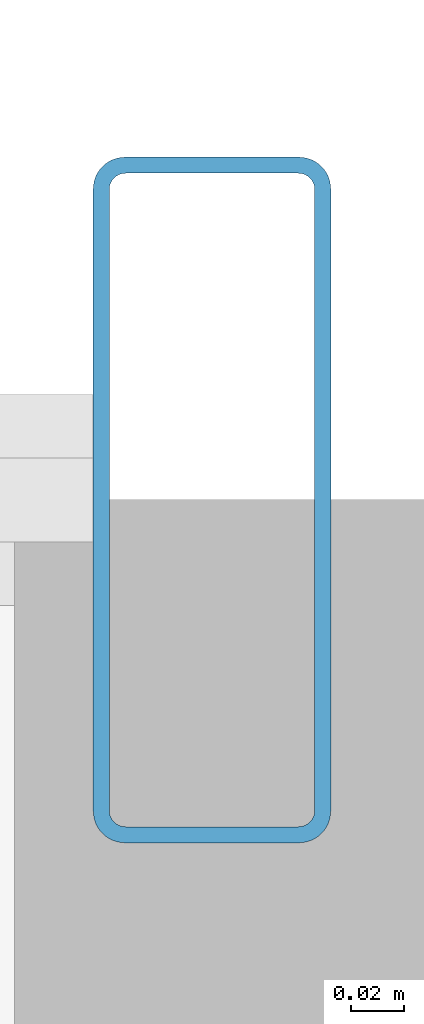
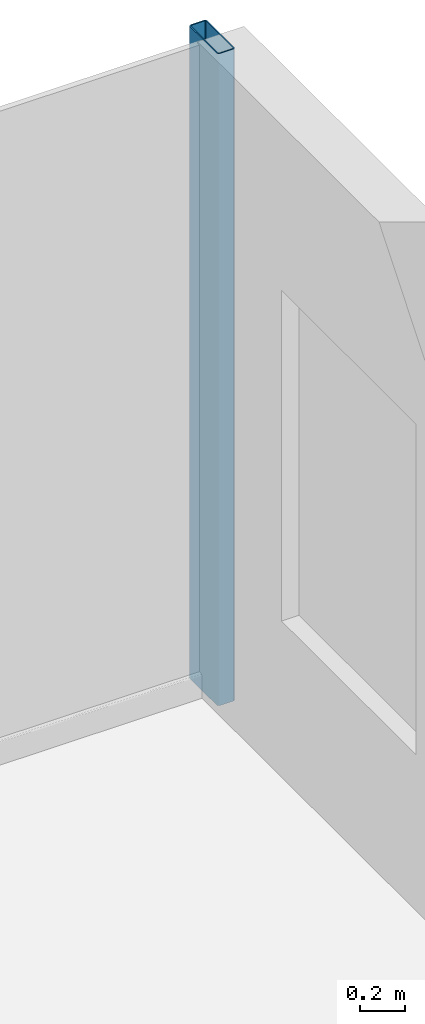
# One storey, part 14 of 26: 1 member, 1 element without a shape of its own.
"""IFC4 building model written with IfcOpenShell, lengths in metres."""

from ifc_helpers import new_model, si_unit, direction, frame, origin, origin_2d, place, context, subcontext, project, spatial, hollow_rectangle, extrude, source, transform, mapped, material, layer, layer_set, material_profile, profile_set, type_object, element, aggregate, save


model = new_model("IFC4")

# Units and contexts
model_context = context("Model", 3, precision=1e-05, world=origin(), true_north=direction((0.0, 1.0)))
body_context = subcontext(model_context, "Body", "Model", "MODEL_VIEW")
ifc_project = project(units=[si_unit("LENGTHUNIT", "METRE"), si_unit("AREAUNIT", "SQUARE_METRE"), si_unit("VOLUMEUNIT", "CUBIC_METRE"), si_unit("PLANEANGLEUNIT", "RADIAN"), si_unit("MASSUNIT", "GRAM", prefix="KILO")], contexts=[model_context])

# Site, building, storey
site_placement = place(None, origin())
site = spatial("IfcSite", under=ifc_project, at=site_placement, CompositionType="ELEMENT")
building_placement = place(site_placement, origin())
building = spatial("IfcBuilding", under=site, at=building_placement, Name="Nefas-Gora Pilgrimage Tower", CompositionType="ELEMENT")
storey_placement = place(building_placement, frame((0.0, 0.0, 117.39990234375)))
storey = spatial("IfcBuildingStorey", under=building, at=storey_placement, Name="L28", CompositionType="ELEMENT", Elevation=117.39990234375)

# Curtain wall, member
ifc_material_1 = material(Name="Dark ceramic-fritted solar-control aluminium-glass curtain wall", Category="aluminium")
ifc_layer = layer(ifc_material_1, 0.219970703125)
ifc_layer_set = layer_set([ifc_layer], Name="Dark ceramic-fritted solar-control aluminium-glass curtain wall")
curtain_wall_type = type_object("IfcCurtainWallType", Name="CW-SYS-2", PredefinedType="NOTDEFINED", material=ifc_layer_set)
curtain_wall_placement = place(storey_placement, origin())
curtain_wall = element("IfcCurtainWall", 1, at=curtain_wall_placement, inside=storey, type_object=curtain_wall_type, Name="L28 Unitised Curtain Wall CW2", PredefinedType="NOTDEFINED")
ifc_material_2 = material(Name="Anodised architectural aluminium", Category="aluminium")
ifc_material_profile = material_profile(ifc_material_2, hollow_rectangle(XDim=0.090087890625, YDim=0.260009765625, WallThickness=0.006103515625, InnerFilletRadius=0.006103515625, OuterFilletRadius=0.011962890625, at=origin_2d()), Name="ALU MULLION 90x260")
ifc_profile_set = profile_set([ifc_material_profile], Name="Anodised architectural aluminium")
member_type = type_object("IfcMemberType", Name="CWM-MUL-2", PredefinedType="MULLION", material=ifc_profile_set)
shared_shape = source(origin(), body_context, "Body", "SweptSolid", [
    extrude(hollow_rectangle(XDim=0.090087890625, YDim=0.260009765625, WallThickness=0.006103515625, InnerFilletRadius=0.006103515625, OuterFilletRadius=0.011962890625, at=origin_2d()), origin(), (0.0, 0.0, 1.0), 3.550048828125),
])
member_placement = place(storey_placement, frame((28.824951171875, 23.02001953125, 0.0), z_axis=(0.0, 0.0, 1.0), x_axis=(-1.0, 0.0, 0.0)))
member = element("IfcMember", 2, at=member_placement, type_object=member_type, Name="CW2 Mullion 1", PredefinedType="MULLION", context=body_context, shape_type="MappedRepresentation", body=[
    mapped(shared_shape, transform((0.0, 0.0, 0.0), x_axis=(1.0, 0.0, 0.0), y_axis=(0.0, 1.0, 0.0), z_axis=(0.0, 0.0, 1.0), scale=1.0)),
])
aggregate(curtain_wall, [member])

save(model, "model.ifc")
